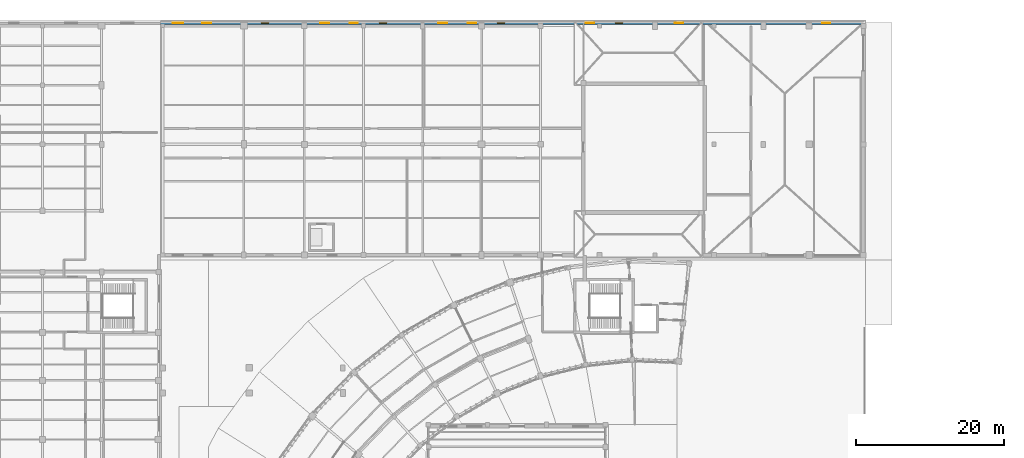
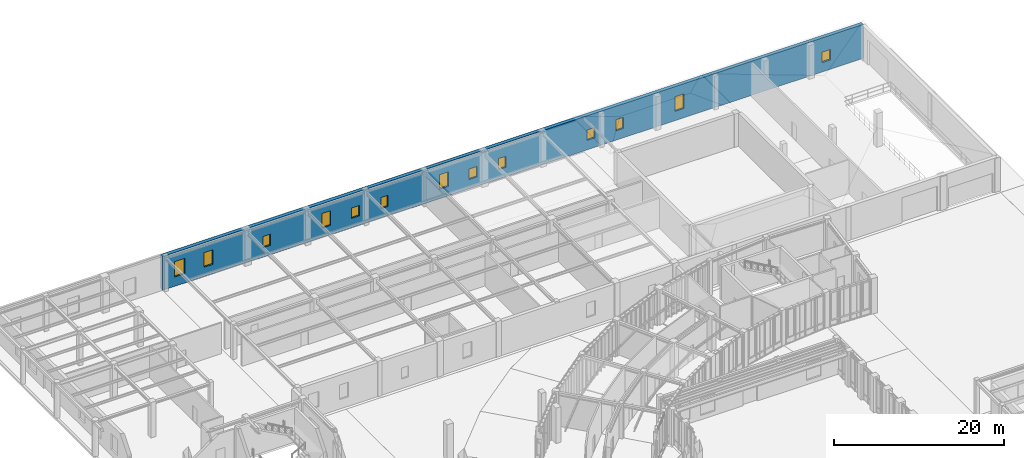
# One storey, part 47 of 68: 13 windows, 1 wall, 13 openings.
"""IFC4 building model written with IfcOpenShell, lengths in metres."""

from ifc_helpers import new_model, si_unit, direction, frame, frame_2d, origin, place, context, subcontext, project, spatial, rectangle, extrude, material, layer, layer_set, type_object, element, fill, save


model = new_model("IFC4")

# Units and contexts
model_context = context("Model", 3, precision=1e-05, world=origin(), true_north=direction((0.0, 1.0)))
body_context = subcontext(model_context, "Body", "Model", "MODEL_VIEW")
ifc_project = project(units=[si_unit("LENGTHUNIT", "METRE"), si_unit("AREAUNIT", "SQUARE_METRE"), si_unit("VOLUMEUNIT", "CUBIC_METRE"), si_unit("PLANEANGLEUNIT", "RADIAN"), si_unit("MASSUNIT", "GRAM", prefix="KILO"), si_unit("THERMODYNAMICTEMPERATUREUNIT", "KELVIN"), si_unit("POWERUNIT", "WATT")], contexts=[model_context])

# Site, building, storey
site_placement = place(None, origin())
site = spatial("IfcSite", under=ifc_project, at=site_placement, CompositionType="ELEMENT")
building_placement = place(site_placement, origin())
building = spatial("IfcBuilding", under=site, at=building_placement, Name="Solvatero Civic Police Headquarters", CompositionType="ELEMENT")
storey_placement = place(building_placement, origin())
storey = spatial("IfcBuildingStorey", under=building, at=storey_placement, Name="L00", CompositionType="ELEMENT", Elevation=0.0)

# Wall, openings, windows
ifc_material_1 = material(Name="Reinforced Masonry", Category="masonry")
ifc_layer = layer(ifc_material_1, 0.47998046875)
ifc_layer_set = layer_set([ifc_layer], Name="Reinforced Masonry")
wall_type = type_object("IfcWallType", Name="WL-EXT-CUST-480", PredefinedType="SOLIDWALL", material=ifc_layer_set)
wall_placement = place(storey_placement, frame((28.5, 116.949951171875, 0.0), z_axis=(0.0, 0.0, 1.0), x_axis=(1.0, 0.0, 0.0)))
wall = element("IfcWall", 1, at=wall_placement, inside=storey, type_object=wall_type, Name="Exterior Wall WLE-L00-V7-N", PredefinedType="SOLIDWALL", context=body_context, shape_type="SweptSolid", body=[
    extrude(rectangle(XDim=95.25, YDim=0.47998046875, at=frame_2d((47.625, 0.0))), origin(), (0.0, 0.0, 1.0), 4.8798828125),
])
opening_1_placement = place(wall_placement, frame((1.64990234375, 0.0, 1.35009765625)))
opening_1 = element("IfcOpeningElement", 2, at=opening_1_placement, cuts=wall, Name="Opening W-02", PredefinedType="OPENING", context=body_context, shape_type="SweptSolid", body=[
    extrude(rectangle(XDim=1.39990234375, YDim=2.199951171875, at=frame_2d((0.699951171875, 1.10009765625))), frame((0.0, 0.25, 0.0), z_axis=(0.0, -1.0, 0.0), x_axis=(1.0, 0.0, 0.0)), (0.0, 0.0, 1.0), 0.5),
])
opening_2_placement = place(wall_placement, frame((5.64990234375, 0.0, 1.35009765625)))
opening_2 = element("IfcOpeningElement", 3, at=opening_2_placement, cuts=wall, Name="Opening W-01", PredefinedType="OPENING", context=body_context, shape_type="SweptSolid", body=[
    extrude(rectangle(XDim=1.199951171875, YDim=2.10009765625, at=frame_2d((0.60009765625, 1.050048828125))), frame((0.0, 0.25, 0.0), z_axis=(0.0, -1.0, 0.0), x_axis=(1.0, 0.0, 0.0)), (0.0, 0.0, 1.0), 0.5),
])
opening_3_placement = place(wall_placement, frame((13.64990234375, 0.0, 1.35009765625)))
opening_3 = element("IfcOpeningElement", 4, at=opening_3_placement, cuts=wall, Name="Opening W-09", PredefinedType="OPENING", context=body_context, shape_type="SweptSolid", body=[
    extrude(rectangle(XDim=1.0, YDim=1.60009765625, at=frame_2d((0.5, 0.800048828125))), frame((0.0, 0.25, 0.0), z_axis=(0.0, -1.0, 0.0), x_axis=(1.0, 0.0, 0.0)), (0.0, 0.0, 1.0), 0.5),
])
opening_4_placement = place(wall_placement, frame((21.64990234375, 0.0, 1.35009765625)))
opening_4 = element("IfcOpeningElement", 5, at=opening_4_placement, cuts=wall, Name="Opening W-01", PredefinedType="OPENING", context=body_context, shape_type="SweptSolid", body=[
    extrude(rectangle(XDim=1.199951171875, YDim=2.10009765625, at=frame_2d((0.60009765625, 1.050048828125))), frame((0.0, 0.25, 0.0), z_axis=(0.0, -1.0, 0.0), x_axis=(1.0, 0.0, 0.0)), (0.0, 0.0, 1.0), 0.5),
])
opening_5_placement = place(wall_placement, frame((25.64990234375, 0.0, 1.35009765625)))
opening_5 = element("IfcOpeningElement", 6, at=opening_5_placement, cuts=wall, Name="Opening W-11", PredefinedType="OPENING", context=body_context, shape_type="SweptSolid", body=[
    extrude(rectangle(XDim=1.10009765625, YDim=1.5, at=frame_2d((0.550048828125, 0.75))), frame((0.0, 0.25, 0.0), z_axis=(0.0, -1.0, 0.0), x_axis=(1.0, 0.0, 0.0)), (0.0, 0.0, 1.0), 0.5),
])
opening_6_placement = place(wall_placement, frame((29.64990234375, 0.0, 1.35009765625)))
opening_6 = element("IfcOpeningElement", 7, at=opening_6_placement, cuts=wall, Name="Opening W-09", PredefinedType="OPENING", context=body_context, shape_type="SweptSolid", body=[
    extrude(rectangle(XDim=1.0, YDim=1.60009765625, at=frame_2d((0.5, 0.800048828125))), frame((0.0, 0.25, 0.0), z_axis=(0.0, -1.0, 0.0), x_axis=(1.0, 0.0, 0.0)), (0.0, 0.0, 1.0), 0.5),
])
opening_7_placement = place(wall_placement, frame((37.64990234375, 0.0, 1.35009765625)))
opening_7 = element("IfcOpeningElement", 8, at=opening_7_placement, cuts=wall, Name="Opening W-01", PredefinedType="OPENING", context=body_context, shape_type="SweptSolid", body=[
    extrude(rectangle(XDim=1.199951171875, YDim=2.10009765625, at=frame_2d((0.60009765625, 1.050048828125))), frame((0.0, 0.25, 0.0), z_axis=(0.0, -1.0, 0.0), x_axis=(1.0, 0.0, 0.0)), (0.0, 0.0, 1.0), 0.5),
])
opening_8_placement = place(wall_placement, frame((41.64990234375, 0.0, 1.35009765625)))
opening_8 = element("IfcOpeningElement", 9, at=opening_8_placement, cuts=wall, Name="Opening W-11", PredefinedType="OPENING", context=body_context, shape_type="SweptSolid", body=[
    extrude(rectangle(XDim=1.10009765625, YDim=1.5, at=frame_2d((0.550048828125, 0.75))), frame((0.0, 0.25, 0.0), z_axis=(0.0, -1.0, 0.0), x_axis=(1.0, 0.0, 0.0)), (0.0, 0.0, 1.0), 0.5),
])
opening_9_placement = place(wall_placement, frame((45.64990234375, 0.0, 1.35009765625)))
opening_9 = element("IfcOpeningElement", 10, at=opening_9_placement, cuts=wall, Name="Opening W-09", PredefinedType="OPENING", context=body_context, shape_type="SweptSolid", body=[
    extrude(rectangle(XDim=1.0, YDim=1.60009765625, at=frame_2d((0.5, 0.800048828125))), frame((0.0, 0.25, 0.0), z_axis=(0.0, -1.0, 0.0), x_axis=(1.0, 0.0, 0.0)), (0.0, 0.0, 1.0), 0.5),
])
opening_10_placement = place(wall_placement, frame((57.64990234375, 0.0, 1.35009765625)))
opening_10 = element("IfcOpeningElement", 11, at=opening_10_placement, cuts=wall, Name="Opening W-11", PredefinedType="OPENING", context=body_context, shape_type="SweptSolid", body=[
    extrude(rectangle(XDim=1.10009765625, YDim=1.5, at=frame_2d((0.550048828125, 0.75))), frame((0.0, 0.25, 0.0), z_axis=(0.0, -1.0, 0.0), x_axis=(1.0, 0.0, 0.0)), (0.0, 0.0, 1.0), 0.5),
])
opening_11_placement = place(wall_placement, frame((61.64990234375, 0.0, 1.35009765625)))
opening_11 = element("IfcOpeningElement", 12, at=opening_11_placement, cuts=wall, Name="Opening W-09", PredefinedType="OPENING", context=body_context, shape_type="SweptSolid", body=[
    extrude(rectangle(XDim=1.0, YDim=1.60009765625, at=frame_2d((0.5, 0.800048828125))), frame((0.0, 0.25, 0.0), z_axis=(0.0, -1.0, 0.0), x_axis=(1.0, 0.0, 0.0)), (0.0, 0.0, 1.0), 0.5),
])
opening_12_placement = place(wall_placement, frame((69.64990234375, 0.0, 1.35009765625)))
opening_12 = element("IfcOpeningElement", 13, at=opening_12_placement, cuts=wall, Name="Opening W-01", PredefinedType="OPENING", context=body_context, shape_type="SweptSolid", body=[
    extrude(rectangle(XDim=1.199951171875, YDim=2.10009765625, at=frame_2d((0.60009765625, 1.050048828125))), frame((0.0, 0.25, 0.0), z_axis=(0.0, -1.0, 0.0), x_axis=(1.0, 0.0, 0.0)), (0.0, 0.0, 1.0), 0.5),
])
opening_13_placement = place(wall_placement, frame((89.64990234375, 0.0, 1.35009765625)))
opening_13 = element("IfcOpeningElement", 14, at=opening_13_placement, cuts=wall, Name="Opening W-11", PredefinedType="OPENING", context=body_context, shape_type="SweptSolid", body=[
    extrude(rectangle(XDim=1.10009765625, YDim=1.5, at=frame_2d((0.550048828125, 0.75))), frame((0.0, 0.25, 0.0), z_axis=(0.0, -1.0, 0.0), x_axis=(1.0, 0.0, 0.0)), (0.0, 0.0, 1.0), 0.5),
])
ifc_material_2 = material(Name="Anodized Bronze Aluminium", Category="aluminium")
window_type_1 = type_object("IfcWindowType", Name="WN-CL-100x160", PartitioningType="SINGLE_PANEL", PredefinedType="WINDOW", material=ifc_material_2)
window_1_placement = place(opening_3_placement, origin())
window_1 = element("IfcWindow", 15, at=window_1_placement, inside=storey, type_object=window_type_1, Name="Exterior Window 0164", OverallHeight=1.60009765625, OverallWidth=1.0, PartitioningType="SINGLE_PANEL", PredefinedType="WINDOW", context=body_context, shape_type="SweptSolid", body=[
    extrude(rectangle(XDim=1.0, YDim=1.60009765625, at=frame_2d((0.5, 0.800048828125))), frame((0.0, 0.030029296875, 0.0), z_axis=(0.0, -1.0, 0.0), x_axis=(1.0, 0.0, 0.0)), (0.0, 0.0, 1.0), 0.06005859375),
])
fill(opening_3, window_1)
window_2_placement = place(opening_6_placement, origin())
window_2 = element("IfcWindow", 16, at=window_2_placement, inside=storey, type_object=window_type_1, Name="Exterior Window 0167", OverallHeight=1.60009765625, OverallWidth=1.0, PartitioningType="SINGLE_PANEL", PredefinedType="WINDOW", context=body_context, shape_type="SweptSolid", body=[
    extrude(rectangle(XDim=1.0, YDim=1.60009765625, at=frame_2d((0.5, 0.800048828125))), frame((0.0, 0.030029296875, 0.0), z_axis=(0.0, -1.0, 0.0), x_axis=(1.0, 0.0, 0.0)), (0.0, 0.0, 1.0), 0.06005859375),
])
fill(opening_6, window_2)
window_3_placement = place(opening_9_placement, origin())
window_3 = element("IfcWindow", 17, at=window_3_placement, inside=storey, type_object=window_type_1, Name="Exterior Window 0170", OverallHeight=1.60009765625, OverallWidth=1.0, PartitioningType="SINGLE_PANEL", PredefinedType="WINDOW", context=body_context, shape_type="SweptSolid", body=[
    extrude(rectangle(XDim=1.0, YDim=1.60009765625, at=frame_2d((0.5, 0.800048828125))), frame((0.0, 0.030029296875, 0.0), z_axis=(0.0, -1.0, 0.0), x_axis=(1.0, 0.0, 0.0)), (0.0, 0.0, 1.0), 0.06005859375),
])
fill(opening_9, window_3)
window_4_placement = place(opening_11_placement, origin())
window_4 = element("IfcWindow", 18, at=window_4_placement, inside=storey, type_object=window_type_1, Name="Exterior Window 0172", OverallHeight=1.60009765625, OverallWidth=1.0, PartitioningType="SINGLE_PANEL", PredefinedType="WINDOW", context=body_context, shape_type="SweptSolid", body=[
    extrude(rectangle(XDim=1.0, YDim=1.60009765625, at=frame_2d((0.5, 0.800048828125))), frame((0.0, 0.030029296875, 0.0), z_axis=(0.0, -1.0, 0.0), x_axis=(1.0, 0.0, 0.0)), (0.0, 0.0, 1.0), 0.06005859375),
])
fill(opening_11, window_4)
ifc_material_3 = material(Name="Ballistic Steel Frame Glass", Category="steel")
window_type_2 = type_object("IfcWindowType", Name="WN-CL-110x150", PartitioningType="SINGLE_PANEL", PredefinedType="WINDOW", material=ifc_material_3)
window_5_placement = place(opening_5_placement, origin())
window_5 = element("IfcWindow", 19, at=window_5_placement, inside=storey, type_object=window_type_2, Name="Exterior Window 0166", OverallHeight=1.5, OverallWidth=1.10009765625, PartitioningType="SINGLE_PANEL", PredefinedType="WINDOW", context=body_context, shape_type="SweptSolid", body=[
    extrude(rectangle(XDim=1.10009765625, YDim=1.5, at=frame_2d((0.550048828125, 0.75))), frame((0.0, 0.030029296875, 0.0), z_axis=(0.0, -1.0, 0.0), x_axis=(1.0, 0.0, 0.0)), (0.0, 0.0, 1.0), 0.06005859375),
])
fill(opening_5, window_5)
window_6_placement = place(opening_8_placement, origin())
window_6 = element("IfcWindow", 20, at=window_6_placement, inside=storey, type_object=window_type_2, Name="Exterior Window 0169", OverallHeight=1.5, OverallWidth=1.10009765625, PartitioningType="SINGLE_PANEL", PredefinedType="WINDOW", context=body_context, shape_type="SweptSolid", body=[
    extrude(rectangle(XDim=1.10009765625, YDim=1.5, at=frame_2d((0.550048828125, 0.75))), frame((0.0, 0.030029296875, 0.0), z_axis=(0.0, -1.0, 0.0), x_axis=(1.0, 0.0, 0.0)), (0.0, 0.0, 1.0), 0.06005859375),
])
fill(opening_8, window_6)
window_7_placement = place(opening_10_placement, origin())
window_7 = element("IfcWindow", 21, at=window_7_placement, inside=storey, type_object=window_type_2, Name="Exterior Window 0171", OverallHeight=1.5, OverallWidth=1.10009765625, PartitioningType="SINGLE_PANEL", PredefinedType="WINDOW", context=body_context, shape_type="SweptSolid", body=[
    extrude(rectangle(XDim=1.10009765625, YDim=1.5, at=frame_2d((0.550048828125, 0.75))), frame((0.0, 0.030029296875, 0.0), z_axis=(0.0, -1.0, 0.0), x_axis=(1.0, 0.0, 0.0)), (0.0, 0.0, 1.0), 0.06005859375),
])
fill(opening_10, window_7)
window_8_placement = place(opening_13_placement, origin())
window_8 = element("IfcWindow", 22, at=window_8_placement, inside=storey, type_object=window_type_2, Name="Exterior Window 0174", OverallHeight=1.5, OverallWidth=1.10009765625, PartitioningType="SINGLE_PANEL", PredefinedType="WINDOW", context=body_context, shape_type="SweptSolid", body=[
    extrude(rectangle(XDim=1.10009765625, YDim=1.5, at=frame_2d((0.550048828125, 0.75))), frame((0.0, 0.030029296875, 0.0), z_axis=(0.0, -1.0, 0.0), x_axis=(1.0, 0.0, 0.0)), (0.0, 0.0, 1.0), 0.06005859375),
])
fill(opening_13, window_8)
window_type_3 = type_object("IfcWindowType", Name="WN-CL-120x210", PartitioningType="SINGLE_PANEL", PredefinedType="WINDOW", material=ifc_material_2)
window_9_placement = place(opening_2_placement, origin())
window_9 = element("IfcWindow", 23, at=window_9_placement, inside=storey, type_object=window_type_3, Name="Exterior Window 0163", OverallHeight=2.10009765625, OverallWidth=1.199951171875, PartitioningType="SINGLE_PANEL", PredefinedType="WINDOW", context=body_context, shape_type="SweptSolid", body=[
    extrude(rectangle(XDim=1.199951171875, YDim=2.10009765625, at=frame_2d((0.60009765625, 1.050048828125))), frame((0.0, 0.030029296875, 0.0), z_axis=(0.0, -1.0, 0.0), x_axis=(1.0, 0.0, 0.0)), (0.0, 0.0, 1.0), 0.06005859375),
])
fill(opening_2, window_9)
window_10_placement = place(opening_4_placement, origin())
window_10 = element("IfcWindow", 24, at=window_10_placement, inside=storey, type_object=window_type_3, Name="Exterior Window 0165", OverallHeight=2.10009765625, OverallWidth=1.199951171875, PartitioningType="SINGLE_PANEL", PredefinedType="WINDOW", context=body_context, shape_type="SweptSolid", body=[
    extrude(rectangle(XDim=1.199951171875, YDim=2.10009765625, at=frame_2d((0.60009765625, 1.050048828125))), frame((0.0, 0.030029296875, 0.0), z_axis=(0.0, -1.0, 0.0), x_axis=(1.0, 0.0, 0.0)), (0.0, 0.0, 1.0), 0.06005859375),
])
fill(opening_4, window_10)
window_11_placement = place(opening_7_placement, origin())
window_11 = element("IfcWindow", 25, at=window_11_placement, inside=storey, type_object=window_type_3, Name="Exterior Window 0168", OverallHeight=2.10009765625, OverallWidth=1.199951171875, PartitioningType="SINGLE_PANEL", PredefinedType="WINDOW", context=body_context, shape_type="SweptSolid", body=[
    extrude(rectangle(XDim=1.199951171875, YDim=2.10009765625, at=frame_2d((0.60009765625, 1.050048828125))), frame((0.0, 0.030029296875, 0.0), z_axis=(0.0, -1.0, 0.0), x_axis=(1.0, 0.0, 0.0)), (0.0, 0.0, 1.0), 0.06005859375),
])
fill(opening_7, window_11)
window_12_placement = place(opening_12_placement, origin())
window_12 = element("IfcWindow", 26, at=window_12_placement, inside=storey, type_object=window_type_3, Name="Exterior Window 0173", OverallHeight=2.10009765625, OverallWidth=1.199951171875, PartitioningType="SINGLE_PANEL", PredefinedType="WINDOW", context=body_context, shape_type="SweptSolid", body=[
    extrude(rectangle(XDim=1.199951171875, YDim=2.10009765625, at=frame_2d((0.60009765625, 1.050048828125))), frame((0.0, 0.030029296875, 0.0), z_axis=(0.0, -1.0, 0.0), x_axis=(1.0, 0.0, 0.0)), (0.0, 0.0, 1.0), 0.06005859375),
])
fill(opening_12, window_12)
window_type_4 = type_object("IfcWindowType", Name="WN-CL-140x220", PartitioningType="SINGLE_PANEL", PredefinedType="WINDOW", material=ifc_material_2)
window_13_placement = place(opening_1_placement, origin())
window_13 = element("IfcWindow", 27, at=window_13_placement, inside=storey, type_object=window_type_4, Name="Exterior Window 0162", OverallHeight=2.199951171875, OverallWidth=1.39990234375, PartitioningType="SINGLE_PANEL", PredefinedType="WINDOW", context=body_context, shape_type="SweptSolid", body=[
    extrude(rectangle(XDim=1.39990234375, YDim=2.199951171875, at=frame_2d((0.699951171875, 1.10009765625))), frame((0.0, 0.030029296875, 0.0), z_axis=(0.0, -1.0, 0.0), x_axis=(1.0, 0.0, 0.0)), (0.0, 0.0, 1.0), 0.06005859375),
])
fill(opening_1, window_13)

save(model, "model.ifc")
